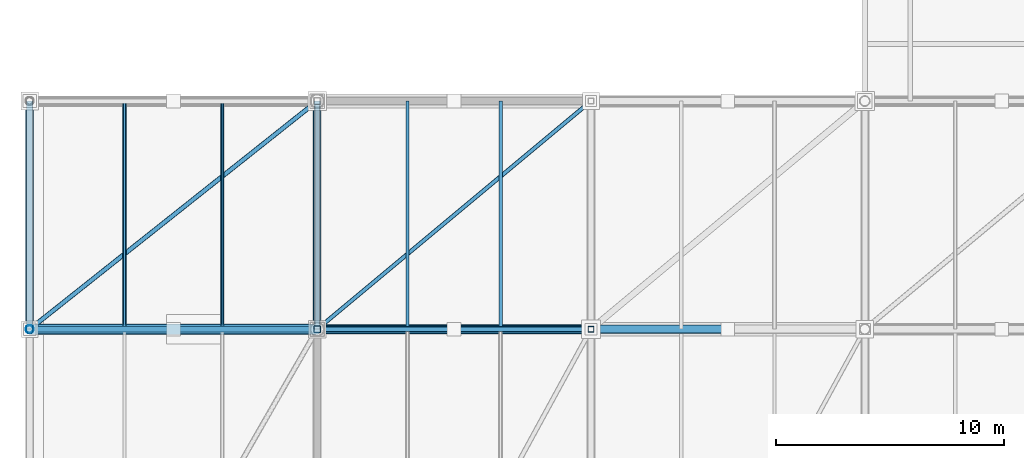
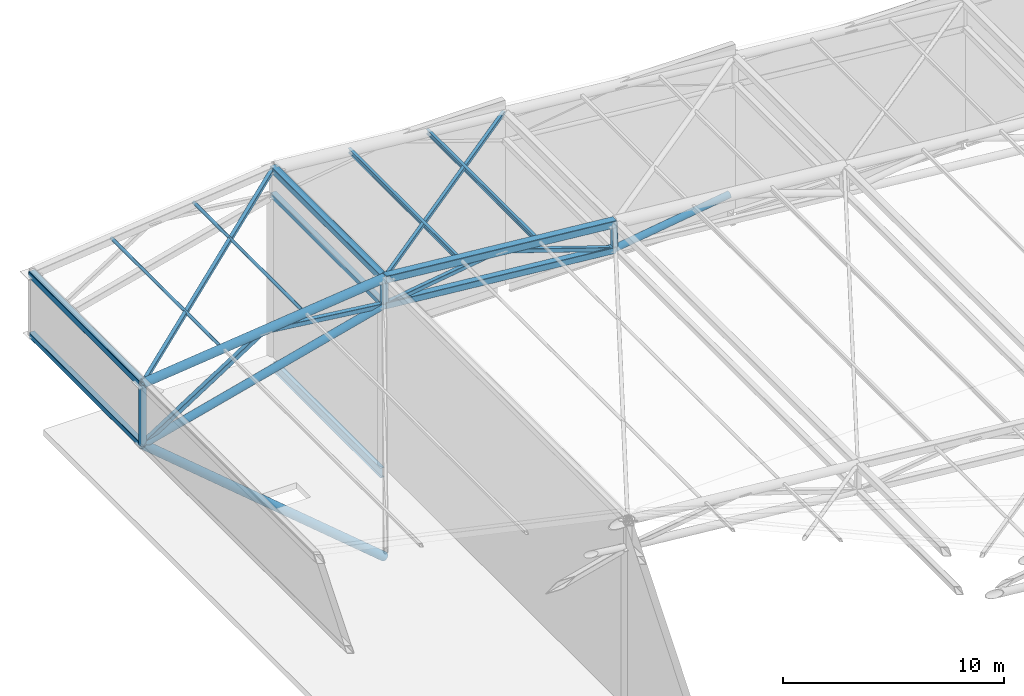
# One storey, part 30 of 44: 23 members, 1 beam.
"""IFC4 building model written with IfcOpenShell, lengths in metres."""

from ifc_helpers import new_model, si_unit, direction, frame, origin, origin_2d, place, context, subcontext, project, spatial, hollow_rectangle, hollow_circle, i_section, extrude, material, material_profile, profile_set, type_object, element, save


model = new_model("IFC4")

# Units and contexts
model_context = context("Model", 3, precision=1e-05, world=origin(), true_north=direction((0.0, 1.0)))
body_context = subcontext(model_context, "Body", "Model", "MODEL_VIEW")
ifc_project = project(units=[si_unit("LENGTHUNIT", "METRE"), si_unit("AREAUNIT", "SQUARE_METRE"), si_unit("VOLUMEUNIT", "CUBIC_METRE"), si_unit("PLANEANGLEUNIT", "RADIAN"), si_unit("MASSUNIT", "GRAM", prefix="KILO")], contexts=[model_context])

# Site, building, storey
site_placement = place(None, origin())
site = spatial("IfcSite", under=ifc_project, at=site_placement, CompositionType="ELEMENT")
building_placement = place(site_placement, origin())
building = spatial("IfcBuilding", under=site, at=building_placement, Name="Brinegate Civic Arena", CompositionType="ELEMENT")
storey_placement = place(building_placement, frame((0.0, 0.0, 29.39990234375)))
storey = spatial("IfcBuildingStorey", under=building, at=storey_placement, Name="RF", CompositionType="ELEMENT", Elevation=29.39990234375)

# Members
ifc_material = material(Name="Steel S355", Category="steel")
ifc_material_profile_1 = material_profile(ifc_material, hollow_circle(Radius=0.083984375, WallThickness=0.008056640625, at=origin_2d()), Name="CHS168X8")
ifc_profile_set_1 = profile_set([ifc_material_profile_1], Name="Steel S355")
member_type_1 = type_object("IfcMemberType", Name="RF-PURLIN-CHS168", PredefinedType="PURLIN", material=ifc_profile_set_1)
for number, where, z_axis, x_axis, name in (
    (1, (51.55810546875, 104.0, 9.64306640625), (0.0, 1.0, 0.0), (-1.0, 0.0, 0.0), "Roof Purlin RFP-109"),
    (2, (55.842041015625, 104.0, 10.119140625), (0.0, 1.0, 0.0), (-1.0, 0.0, 0.0), "Roof Purlin RFP-110"),
):
    element("IfcMember", number, at=place(storey_placement, frame(where, z_axis=z_axis, x_axis=x_axis)), inside=storey, type_object=member_type_1, Name=name, PredefinedType="PURLIN", context=body_context, shape_type="SweptSolid", body=[
        extrude(hollow_circle(Radius=0.083984375, WallThickness=0.008056640625, at=origin_2d()), origin(), (0.0, 0.0, 1.0), 10.0),
    ])
ifc_material_profile_2 = material_profile(ifc_material, i_section(OverallWidth=0.14794921875, OverallDepth=0.26611328125, WebThickness=0.008056640625, FlangeThickness=0.012939453125, FilletRadius=0.011962890625, at=origin_2d()), Name="W250X45")
ifc_profile_set_2 = profile_set([ifc_material_profile_2], Name="Steel S355")
member_type_2 = type_object("IfcMemberType", Name="RF-PURLIN-W250", PredefinedType="PURLIN", material=ifc_profile_set_2)
for number, where, z_axis, x_axis, name in (
    (3, (63.9599609375, 104.0, 10.1611328125), (0.0, 1.0, 0.0), (-1.0, 0.0, 0.0), "Roof Purlin RFP-111"),
    (4, (68.0400390625, 104.0, 9.778076171875), (0.0, 1.0, 0.0), (-1.0, 0.0, 0.0), "Roof Purlin RFP-112"),
):
    element("IfcMember", number, at=place(storey_placement, frame(where, z_axis=z_axis, x_axis=x_axis)), inside=storey, type_object=member_type_2, Name=name, PredefinedType="PURLIN", context=body_context, shape_type="SweptSolid", body=[
        extrude(i_section(OverallWidth=0.14794921875, OverallDepth=0.26611328125, WebThickness=0.008056640625, FlangeThickness=0.012939453125, FilletRadius=0.011962890625, at=origin_2d()), origin(), (0.0, 0.0, 1.0), 10.0),
    ])
ifc_material_profile_3 = material_profile(ifc_material, hollow_circle(Radius=0.177978515625, WallThickness=0.013916015625, at=origin_2d()), Name="CHS356X14")
ifc_profile_set_3 = profile_set([ifc_material_profile_3], Name="Steel S355")
member_type_3 = type_object("IfcMemberType", Name="SF-BRACE-CHS356", PredefinedType="BRACE", material=ifc_profile_set_3)
member_1_placement = place(storey_placement, frame((72.0, 104.0, 7.97509765625), z_axis=(0.989226142737, 0.0, 0.1463954867), x_axis=(0.0, 1.0, 0.0)))
element("IfcMember", 5, at=member_1_placement, inside=storey, type_object=member_type_3, Name="Space Frame Web Brace D1-7-3", PredefinedType="BRACE", context=body_context, shape_type="SweptSolid", body=[
    extrude(hollow_circle(Radius=0.177978515625, WallThickness=0.013916015625, at=origin_2d()), origin(), (0.0, 0.0, 1.0), 6.0654296875),
])
ifc_material_profile_4 = material_profile(ifc_material, hollow_rectangle(XDim=0.179931640625, YDim=0.179931640625, WallThickness=0.010009765625, InnerFilletRadius=0.010009765625, OuterFilletRadius=0.02001953125, at=origin_2d()), Name="SHS180X10")
ifc_profile_set_4 = profile_set([ifc_material_profile_4], Name="Steel S355")
member_type_4 = type_object("IfcMemberType", Name="SF-BRACE-SHS180", PredefinedType="BRACE", material=ifc_profile_set_4)
member_2_placement = place(storey_placement, frame((60.0, 104.0, 10.550048828125), z_axis=(0.766236619907, 0.638530516589, -0.071834683116), x_axis=(-0.640184399664, 0.768221279597, 0.0)))
element("IfcMember", 6, at=member_2_placement, inside=storey, type_object=member_type_4, Name="Roof Plan Diagonal Brace PL-7-2", PredefinedType="BRACE", context=body_context, shape_type="SweptSolid", body=[
    extrude(hollow_rectangle(XDim=0.179931640625, YDim=0.179931640625, WallThickness=0.010009765625, InnerFilletRadius=0.010009765625, OuterFilletRadius=0.02001953125, at=origin_2d()), origin(), (0.0, 0.0, 1.0), 15.660888671875),
])
ifc_material_profile_5 = material_profile(ifc_material, hollow_rectangle(XDim=0.199951171875, YDim=0.199951171875, WallThickness=0.010009765625, InnerFilletRadius=0.010009765625, OuterFilletRadius=0.02001953125, at=origin_2d()), Name="SHS200X10")
ifc_profile_set_5 = profile_set([ifc_material_profile_5], Name="Steel S355")
member_type_5 = type_object("IfcMemberType", Name="SF-BRACE-SHS200", PredefinedType="BRACE", material=ifc_profile_set_5)
member_3_placement = place(storey_placement, frame((47.39990234375, 104.0, 9.150146484375), z_axis=(0.780341879736, 0.619314152179, 0.086697933315), x_axis=(-0.621654903434, 0.783291249176, 0.0)))
element("IfcMember", 7, at=member_3_placement, inside=storey, type_object=member_type_5, Name="Roof Plan Diagonal Brace PL-7-1", PredefinedType="BRACE", context=body_context, shape_type="SweptSolid", body=[
    extrude(hollow_rectangle(XDim=0.199951171875, YDim=0.199951171875, WallThickness=0.010009765625, InnerFilletRadius=0.010009765625, OuterFilletRadius=0.02001953125, at=origin_2d()), origin(), (0.0, 0.0, 1.0), 16.14697265625),
])
ifc_material_profile_6 = material_profile(ifc_material, hollow_rectangle(XDim=0.219970703125, YDim=0.219970703125, WallThickness=0.011962890625, InnerFilletRadius=0.011962890625, OuterFilletRadius=0.02392578125, at=origin_2d()), Name="SHS220X12")
ifc_profile_set_6 = profile_set([ifc_material_profile_6], Name="Steel S355")
member_type_6 = type_object("IfcMemberType", Name="SF-BRACE-SHS220", PredefinedType="BRACE", material=ifc_profile_set_6)
member_4_placement = place(storey_placement, frame((60.0, 104.0, 9.10009765625), z_axis=(0.989226142737, 0.0, 0.1463954867), x_axis=(0.0, 1.0, 0.0)))
element("IfcMember", 8, at=member_4_placement, inside=storey, type_object=member_type_6, Name="Space Frame Web Brace D1-7-2", PredefinedType="BRACE", context=body_context, shape_type="SweptSolid", body=[
    extrude(hollow_rectangle(XDim=0.219970703125, YDim=0.219970703125, WallThickness=0.011962890625, InnerFilletRadius=0.011962890625, OuterFilletRadius=0.02392578125, at=origin_2d()), origin(), (0.0, 0.0, 1.0), 6.0654296875),
])
member_5_placement = place(storey_placement, frame((66.0, 104.0, 9.988037109375), z_axis=(0.948068139281, 0.0, -0.318067293635), x_axis=(0.0, 1.0, 0.0)))
element("IfcMember", 9, at=member_5_placement, inside=storey, type_object=member_type_6, Name="Space Frame Web Brace D2-7-2", PredefinedType="BRACE", context=body_context, shape_type="SweptSolid", body=[
    extrude(hollow_rectangle(XDim=0.219970703125, YDim=0.219970703125, WallThickness=0.011962890625, InnerFilletRadius=0.011962890625, OuterFilletRadius=0.02392578125, at=origin_2d()), origin(), (0.0, 0.0, 1.0), 6.32861328125),
])
ifc_material_profile_7 = material_profile(ifc_material, hollow_rectangle(XDim=0.25, YDim=0.25, WallThickness=0.011962890625, InnerFilletRadius=0.011962890625, OuterFilletRadius=0.02392578125, at=origin_2d()), Name="SHS250X12")
ifc_profile_set_7 = profile_set([ifc_material_profile_7], Name="Steel S355")
member_type_7 = type_object("IfcMemberType", Name="SF-BRACE-SHS250", PredefinedType="BRACE", material=ifc_profile_set_7)
member_6_placement = place(storey_placement, frame((47.39990234375, 104.0, 5.800048828125), z_axis=(0.841177416252, 0.0, 0.540759238837), x_axis=(0.0, 1.0, 0.0)))
element("IfcMember", 10, at=member_6_placement, inside=storey, type_object=member_type_7, Name="Space Frame Web Brace D1-7-1", PredefinedType="BRACE", context=body_context, shape_type="SweptSolid", body=[
    extrude(hollow_rectangle(XDim=0.25, YDim=0.25, WallThickness=0.011962890625, InnerFilletRadius=0.011962890625, OuterFilletRadius=0.02392578125, at=origin_2d()), origin(), (0.0, 0.0, 1.0), 7.489501953125),
])
member_7_placement = place(storey_placement, frame((53.699951171875, 104.0, 9.85009765625), z_axis=(0.992988381742, 0.0, -0.118211986387), x_axis=(0.0, 1.0, 0.0)))
element("IfcMember", 11, at=member_7_placement, inside=storey, type_object=member_type_7, Name="Space Frame Web Brace D2-7-1", PredefinedType="BRACE", context=body_context, shape_type="SweptSolid", body=[
    extrude(hollow_rectangle(XDim=0.25, YDim=0.25, WallThickness=0.011962890625, InnerFilletRadius=0.011962890625, OuterFilletRadius=0.02392578125, at=origin_2d()), origin(), (0.0, 0.0, 1.0), 6.344482421875),
])
ifc_material_profile_8 = material_profile(ifc_material, hollow_circle(Radius=0.202880859375, WallThickness=0.01611328125, at=origin_2d()), Name="CHS406X16")
ifc_profile_set_8 = profile_set([ifc_material_profile_8], Name="Steel S355")
member_type_8 = type_object("IfcMemberType", Name="SF-CHORD-CHS406", PredefinedType="CHORD", material=ifc_profile_set_8)
member_8_placement = place(storey_placement, frame((47.39990234375, 104.0, 5.800048828125), z_axis=(0.967371785856, 0.0, 0.25336106238), x_axis=(0.0, 1.0, 0.0)))
element("IfcMember", 12, at=member_8_placement, inside=storey, type_object=member_type_8, Name="Space Frame Bottom Chord BX-7-1", PredefinedType="CHORD", context=body_context, shape_type="SweptSolid", body=[
    extrude(hollow_circle(Radius=0.202880859375, WallThickness=0.01611328125, at=origin_2d()), origin(), (0.0, 0.0, 1.0), 13.025146484375),
])
ifc_material_profile_9 = material_profile(ifc_material, hollow_circle(Radius=0.228515625, WallThickness=0.01611328125, at=origin_2d()), Name="CHS457X16")
ifc_profile_set_9 = profile_set([ifc_material_profile_9], Name="Steel S355")
member_type_9 = type_object("IfcMemberType", Name="SF-CHORD-CHS457", PredefinedType="CHORD", material=ifc_profile_set_9)
member_9_placement = place(storey_placement, frame((47.39990234375, 104.0, 9.150146484375), z_axis=(0.993884674033, 0.0, 0.110423071515), x_axis=(0.0, 1.0, 0.0)))
element("IfcMember", 13, at=member_9_placement, inside=storey, type_object=member_type_9, Name="Space Frame Top Chord TX-7-1", PredefinedType="CHORD", context=body_context, shape_type="SweptSolid", body=[
    extrude(hollow_circle(Radius=0.228515625, WallThickness=0.01611328125, at=origin_2d()), origin(), (0.0, 0.0, 1.0), 12.677734375),
])
ifc_material_profile_10 = material_profile(ifc_material, hollow_rectangle(XDim=0.300048828125, YDim=0.300048828125, WallThickness=0.01611328125, InnerFilletRadius=0.01611328125, OuterFilletRadius=0.031982421875, at=origin_2d()), Name="SHS300X16")
ifc_profile_set_10 = profile_set([ifc_material_profile_10], Name="Steel S355")
member_type_10 = type_object("IfcMemberType", Name="SF-CHORD-SHS300", PredefinedType="CHORD", material=ifc_profile_set_10)
for number, where, z_axis, x_axis, name in (
    (14, (47.39990234375, 104.0, 5.800048828125), (0.0, 1.0, 0.0), (-1.0, 0.0, 0.0), "Space Frame Cross Bottom Chord BY-7-1"),
    (15, (60.0, 104.0, 9.10009765625), (0.0, 1.0, 0.0), (-1.0, 0.0, 0.0), "Space Frame Cross Bottom Chord BY-7-2"),
):
    element("IfcMember", number, at=place(storey_placement, frame(where, z_axis=z_axis, x_axis=x_axis)), inside=storey, type_object=member_type_10, Name=name, PredefinedType="CHORD", context=body_context, shape_type="SweptSolid", body=[
        extrude(hollow_rectangle(XDim=0.300048828125, YDim=0.300048828125, WallThickness=0.01611328125, InnerFilletRadius=0.01611328125, OuterFilletRadius=0.031982421875, at=origin_2d()), origin(), (0.0, 0.0, 1.0), 10.0),
    ])
ifc_material_profile_11 = material_profile(ifc_material, hollow_rectangle(XDim=0.35009765625, YDim=0.35009765625, WallThickness=0.01611328125, InnerFilletRadius=0.01611328125, OuterFilletRadius=0.031982421875, at=origin_2d()), Name="SHS350X16")
ifc_profile_set_11 = profile_set([ifc_material_profile_11], Name="Steel S355")
member_type_11 = type_object("IfcMemberType", Name="SF-CHORD-SHS350", PredefinedType="CHORD", material=ifc_profile_set_11)
member_10_placement = place(storey_placement, frame((60.0, 104.0, 9.10009765625), z_axis=(0.995634226059, 0.0, -0.093340708693), x_axis=(0.0, 1.0, 0.0)))
element("IfcMember", 16, at=member_10_placement, inside=storey, type_object=member_type_11, Name="Space Frame Bottom Chord BX-7-2", PredefinedType="CHORD", context=body_context, shape_type="SweptSolid", body=[
    extrude(hollow_rectangle(XDim=0.35009765625, YDim=0.35009765625, WallThickness=0.01611328125, InnerFilletRadius=0.01611328125, OuterFilletRadius=0.031982421875, at=origin_2d()), origin(), (0.0, 0.0, 1.0), 12.052734375),
])
for number, where, z_axis, x_axis, name in (
    (17, (47.39990234375, 104.0, 9.150146484375), (0.0, 1.0, 0.0), (-1.0, 0.0, 0.0), "Space Frame Cross Top Chord TY-7-1"),
    (18, (60.0, 104.0, 10.550048828125), (0.0, 1.0, 0.0), (-1.0, 0.0, 0.0), "Space Frame Cross Top Chord TY-7-2"),
):
    element("IfcMember", number, at=place(storey_placement, frame(where, z_axis=z_axis, x_axis=x_axis)), inside=storey, type_object=member_type_11, Name=name, PredefinedType="CHORD", context=body_context, shape_type="SweptSolid", body=[
        extrude(hollow_rectangle(XDim=0.35009765625, YDim=0.35009765625, WallThickness=0.01611328125, InnerFilletRadius=0.01611328125, OuterFilletRadius=0.031982421875, at=origin_2d()), origin(), (0.0, 0.0, 1.0), 10.0),
    ])
ifc_material_profile_12 = material_profile(ifc_material, hollow_rectangle(XDim=0.39990234375, YDim=0.39990234375, WallThickness=0.02001953125, InnerFilletRadius=0.02001953125, OuterFilletRadius=0.0400390625, at=origin_2d()), Name="SHS400X20")
ifc_profile_set_12 = profile_set([ifc_material_profile_12], Name="Steel S355")
member_type_12 = type_object("IfcMemberType", Name="SF-CHORD-SHS400", PredefinedType="CHORD", material=ifc_profile_set_12)
member_11_placement = place(storey_placement, frame((60.0, 104.0, 10.550048828125), z_axis=(0.995634226059, 0.0, -0.093340708693), x_axis=(0.0, 1.0, 0.0)))
element("IfcMember", 19, at=member_11_placement, inside=storey, type_object=member_type_12, Name="Space Frame Top Chord TX-7-2", PredefinedType="CHORD", context=body_context, shape_type="SweptSolid", body=[
    extrude(hollow_rectangle(XDim=0.39990234375, YDim=0.39990234375, WallThickness=0.02001953125, InnerFilletRadius=0.02001953125, OuterFilletRadius=0.0400390625, at=origin_2d()), origin(), (0.0, 0.0, 1.0), 12.052734375),
])
ifc_material_profile_13 = material_profile(ifc_material, hollow_circle(Radius=0.177978515625, WallThickness=0.013916015625, at=origin_2d()), Name="CHS356X14")
ifc_profile_set_13 = profile_set([ifc_material_profile_13], Name="Steel S355")
member_type_13 = type_object("IfcMemberType", Name="SF-STRUT-CHS356", PredefinedType="STRUT", material=ifc_profile_set_13)
member_12_placement = place(storey_placement, frame((47.39990234375, 104.0, 5.800048828125), z_axis=(0.0, 0.0, 1.0), x_axis=(1.0, 0.0, 0.0)))
element("IfcMember", 20, at=member_12_placement, inside=storey, type_object=member_type_13, Name="Space Frame Vertical Post V-7-1", PredefinedType="STRUT", context=body_context, shape_type="SweptSolid", body=[
    extrude(hollow_circle(Radius=0.177978515625, WallThickness=0.013916015625, at=origin_2d()), origin(), (0.0, 0.0, 1.0), 3.35009765625),
])
ifc_material_profile_14 = material_profile(ifc_material, hollow_circle(Radius=0.228515625, WallThickness=0.01611328125, at=origin_2d()), Name="CHS457X16")
ifc_profile_set_14 = profile_set([ifc_material_profile_14], Name="Steel S355")
member_type_14 = type_object("IfcMemberType", Name="SF-STRUT-CHS457", PredefinedType="STRUT", material=ifc_profile_set_14)
member_13_placement = place(storey_placement, frame((60.0, 104.0, -4.7998046875), z_axis=(-0.765232927861, 0.0, 0.643753497945), x_axis=(0.0, -1.0, 0.0)))
element("IfcMember", 21, at=member_13_placement, inside=storey, type_object=member_type_14, Name="Cantilever Back-Prop Strut SFS-CANT-07", PredefinedType="STRUT", context=body_context, shape_type="SweptSolid", body=[
    extrude(hollow_circle(Radius=0.228515625, WallThickness=0.01611328125, at=origin_2d()), origin(), (0.0, 0.0, 1.0), 16.4658203125),
])
ifc_material_profile_15 = material_profile(ifc_material, hollow_rectangle(XDim=0.25, YDim=0.25, WallThickness=0.011962890625, InnerFilletRadius=0.011962890625, OuterFilletRadius=0.02392578125, at=origin_2d()), Name="SHS250X12")
ifc_profile_set_15 = profile_set([ifc_material_profile_15], Name="Steel S355")
member_type_15 = type_object("IfcMemberType", Name="SF-STRUT-SHS250", PredefinedType="STRUT", material=ifc_profile_set_15)
member_14_placement = place(storey_placement, frame((72.0, 104.0, 7.97509765625), z_axis=(0.0, 0.0, 1.0), x_axis=(1.0, 0.0, 0.0)))
element("IfcMember", 22, at=member_14_placement, inside=storey, type_object=member_type_15, Name="Space Frame Vertical Post V-7-3", PredefinedType="STRUT", context=body_context, shape_type="SweptSolid", body=[
    extrude(hollow_rectangle(XDim=0.25, YDim=0.25, WallThickness=0.011962890625, InnerFilletRadius=0.011962890625, OuterFilletRadius=0.02392578125, at=origin_2d()), origin(), (0.0, 0.0, 1.0), 1.449951171875),
])
ifc_material_profile_16 = material_profile(ifc_material, hollow_rectangle(XDim=0.300048828125, YDim=0.300048828125, WallThickness=0.01611328125, InnerFilletRadius=0.01611328125, OuterFilletRadius=0.031982421875, at=origin_2d()), Name="SHS300X16")
ifc_profile_set_16 = profile_set([ifc_material_profile_16], Name="Steel S355")
member_type_16 = type_object("IfcMemberType", Name="SF-STRUT-SHS300", PredefinedType="STRUT", material=ifc_profile_set_16)
member_15_placement = place(storey_placement, frame((60.0, 104.0, 9.10009765625), z_axis=(0.0, 0.0, 1.0), x_axis=(1.0, 0.0, 0.0)))
element("IfcMember", 23, at=member_15_placement, inside=storey, type_object=member_type_16, Name="Space Frame Vertical Post V-7-2", PredefinedType="STRUT", context=body_context, shape_type="SweptSolid", body=[
    extrude(hollow_rectangle(XDim=0.300048828125, YDim=0.300048828125, WallThickness=0.01611328125, InnerFilletRadius=0.01611328125, OuterFilletRadius=0.031982421875, at=origin_2d()), origin(), (0.0, 0.0, 1.0), 1.449951171875),
])

# Beam
ifc_material_profile_17 = material_profile(ifc_material, i_section(OverallWidth=0.2119140625, OverallDepth=0.5439453125, WebThickness=0.012939453125, FlangeThickness=0.02099609375, FilletRadius=0.01611328125, at=origin_2d()), Name="W530X123")
ifc_profile_set_17 = profile_set([ifc_material_profile_17], Name="Steel S355")
beam_type = type_object("IfcBeamType", Name="SPANDREL-W530X123", PredefinedType="SPANDREL", material=ifc_profile_set_17)
beam_placement = place(storey_placement, frame((60.0, 104.14990234375, -0.27197265625), z_axis=(0.0, 1.0, 0.0), x_axis=(-1.0, 0.0, 0.0)))
element("IfcBeam", 24, at=beam_placement, inside=storey, type_object=beam_type, Name="West Drum Crown Ring Beam WDRM-7", PredefinedType="SPANDREL", context=body_context, shape_type="SweptSolid", body=[
    extrude(i_section(OverallWidth=0.2119140625, OverallDepth=0.5439453125, WebThickness=0.012939453125, FlangeThickness=0.02099609375, FilletRadius=0.01611328125, at=origin_2d()), origin(), (0.0, 0.0, 1.0), 9.7001953125),
])

save(model, "model.ifc")
